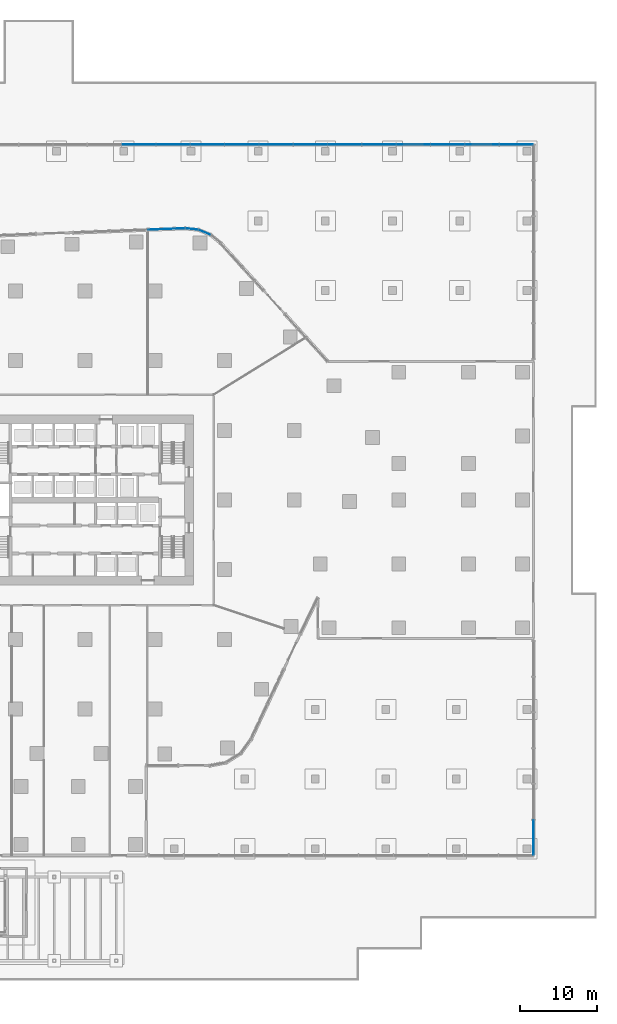
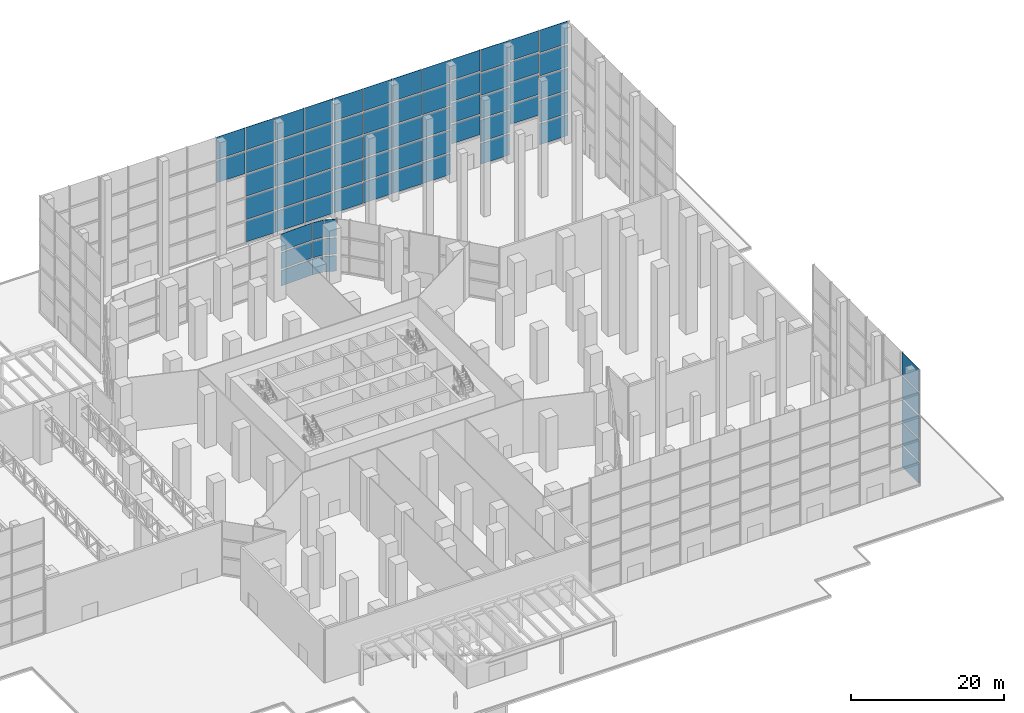
# One storey, part 26 of 40: 69 plates, 8 elements without a shape of their own.
"""IFC4 building model written with IfcOpenShell, lengths in metres."""

from ifc_helpers import new_model, si_unit, direction, frame, origin, origin_2d, place, context, subcontext, project, spatial, rectangle, extrude, material, layer, layer_set, type_object, element, aggregate, save


model = new_model("IFC4")

# Units and contexts
model_context = context("Model", 3, precision=1e-05, world=origin(), true_north=direction((0.0, 1.0)))
body_context = subcontext(model_context, "Body", "Model", "MODEL_VIEW")
ifc_project = project(units=[si_unit("LENGTHUNIT", "METRE"), si_unit("AREAUNIT", "SQUARE_METRE"), si_unit("VOLUMEUNIT", "CUBIC_METRE"), si_unit("PLANEANGLEUNIT", "RADIAN"), si_unit("MASSUNIT", "GRAM", prefix="KILO")], contexts=[model_context])

# Site, building, storey
site_placement = place(None, origin())
site = spatial("IfcSite", under=ifc_project, at=site_placement, CompositionType="ELEMENT")
building_placement = place(site_placement, origin())
building = spatial("IfcBuilding", under=site, at=building_placement, Name="Dongbaek Canopy Tower", CompositionType="ELEMENT")
storey_placement = place(building_placement, origin())
storey = spatial("IfcBuildingStorey", under=building, at=storey_placement, Name="L00", CompositionType="ELEMENT", Elevation=0.0)

# Curtain wall, plates
ifc_material_1 = material(Name="Aluminium 6063-T6 pale anodised", Category="aluminium")
ifc_layer_1 = layer(ifc_material_1, 0.39990234375)
ifc_layer_set_1 = layer_set([ifc_layer_1], Name="CW-3 lobby double-height curtain wall")
curtain_wall_type = type_object("IfcCurtainWallType", Name="CW-3 lobby double-height curtain wall", PredefinedType="NOTDEFINED", material=ifc_layer_set_1)
curtain_wall_1_placement = place(storey_placement, origin())
curtain_wall_1 = element("IfcCurtainWall", 1, at=curtain_wall_1_placement, inside=storey, type_object=curtain_wall_type, Name="CW-3 curtain wall K1.1", PredefinedType="NOTDEFINED")
ifc_material_2 = material(Name="Clear laminated glass", Category="glass")
ifc_layer_2 = layer(ifc_material_2, 0.0439453125)
ifc_layer_set_2 = layer_set([ifc_layer_2], Name="CW-3 glazed panel 44")
plate_type = type_object("IfcPlateType", Name="CW-3 glazed panel 44", PredefinedType="CURTAIN_PANEL", material=ifc_layer_set_2)
plate_1_placement = place(storey_placement, frame((15.412109375, 34.576416015625, 0.25), z_axis=(0.0, 0.0, 1.0), x_axis=(-0.921712269238, 0.387874325956, 0.0)))
plate_1 = element("IfcPlate", 2, at=plate_1_placement, type_object=plate_type, Name="CW-3 panel K1.1.2.1", PredefinedType="CURTAIN_PANEL", context=body_context, shape_type="SweptSolid", body=[
    extrude(rectangle(XDim=1.5869140625, YDim=0.0439453125, at=origin_2d()), origin(), (0.0, 0.0, 1.0), 2.47509765625),
])
plate_2_placement = place(storey_placement, frame((15.412109375, 34.576416015625, 2.974853515625), z_axis=(0.0, 0.0, 1.0), x_axis=(-0.921712269238, 0.387874325956, 0.0)))
plate_2 = element("IfcPlate", 3, at=plate_2_placement, type_object=plate_type, Name="CW-3 panel K1.1.2.2", PredefinedType="CURTAIN_PANEL", context=body_context, shape_type="SweptSolid", body=[
    extrude(rectangle(XDim=1.5869140625, YDim=0.0439453125, at=origin_2d()), origin(), (0.0, 0.0, 1.0), 2.60009765625),
])
plate_3_placement = place(storey_placement, frame((15.412109375, 34.576416015625, 5.824951171875), z_axis=(0.0, 0.0, 1.0), x_axis=(-0.921712269238, 0.387874325956, 0.0)))
plate_3 = element("IfcPlate", 4, at=plate_3_placement, type_object=plate_type, Name="CW-3 panel K1.1.2.3", PredefinedType="CURTAIN_PANEL", context=body_context, shape_type="SweptSolid", body=[
    extrude(rectangle(XDim=1.5869140625, YDim=0.0439453125, at=origin_2d()), origin(), (0.0, 0.0, 1.0), 2.72509765625),
])
plate_4_placement = place(storey_placement, frame((13.76953125, 35.000244140625, 0.25), z_axis=(0.0, 0.0, 1.0), x_axis=(-0.994250991543, 0.107074580622, 0.0)))
plate_4 = element("IfcPlate", 5, at=plate_4_placement, type_object=plate_type, Name="CW-3 panel K1.1.3.1", PredefinedType="CURTAIN_PANEL", context=body_context, shape_type="SweptSolid", body=[
    extrude(rectangle(XDim=1.59423828125, YDim=0.0439453125, at=origin_2d()), origin(), (0.0, 0.0, 1.0), 2.47509765625),
])
plate_5_placement = place(storey_placement, frame((13.76953125, 35.000244140625, 2.974853515625), z_axis=(0.0, 0.0, 1.0), x_axis=(-0.994250991543, 0.107074580622, 0.0)))
plate_5 = element("IfcPlate", 6, at=plate_5_placement, type_object=plate_type, Name="CW-3 panel K1.1.3.2", PredefinedType="CURTAIN_PANEL", context=body_context, shape_type="SweptSolid", body=[
    extrude(rectangle(XDim=1.59423828125, YDim=0.0439453125, at=origin_2d()), origin(), (0.0, 0.0, 1.0), 2.60009765625),
])
plate_6_placement = place(storey_placement, frame((13.76953125, 35.000244140625, 5.824951171875), z_axis=(0.0, 0.0, 1.0), x_axis=(-0.994250991543, 0.107074580622, 0.0)))
plate_6 = element("IfcPlate", 7, at=plate_6_placement, type_object=plate_type, Name="CW-3 panel K1.1.3.3", PredefinedType="CURTAIN_PANEL", context=body_context, shape_type="SweptSolid", body=[
    extrude(rectangle(XDim=1.59423828125, YDim=0.0439453125, at=origin_2d()), origin(), (0.0, 0.0, 1.0), 2.72509765625),
])
aggregate(curtain_wall_1, [plate_1, plate_2, plate_3, plate_4, plate_5, plate_6])

curtain_wall_2_placement = place(storey_placement, origin())
curtain_wall_2 = element("IfcCurtainWall", 8, at=curtain_wall_2_placement, inside=storey, type_object=curtain_wall_type, Name="CW-3 curtain wall F6.1", PredefinedType="NOTDEFINED")
plate_7_placement = place(storey_placement, frame((10.507080078125, 35.0, 0.25), z_axis=(0.0, 0.0, 1.0), x_axis=(-0.999268890746, -0.038231975991, 0.0)))
plate_7 = element("IfcPlate", 9, at=plate_7_placement, type_object=plate_type, Name="CW-3 panel F6.1.1.1", PredefinedType="CURTAIN_PANEL", context=body_context, shape_type="SweptSolid", body=[
    extrude(rectangle(XDim=4.696044921875, YDim=0.0439453125, at=origin_2d()), origin(), (0.0, 0.0, 1.0), 2.47509765625),
])
plate_8_placement = place(storey_placement, frame((10.507080078125, 35.0, 2.974853515625), z_axis=(0.0, 0.0, 1.0), x_axis=(-0.999268890746, -0.038231975991, 0.0)))
plate_8 = element("IfcPlate", 10, at=plate_8_placement, type_object=plate_type, Name="CW-3 panel F6.1.1.2", PredefinedType="CURTAIN_PANEL", context=body_context, shape_type="SweptSolid", body=[
    extrude(rectangle(XDim=4.696044921875, YDim=0.0439453125, at=origin_2d()), origin(), (0.0, 0.0, 1.0), 2.60009765625),
])
plate_9_placement = place(storey_placement, frame((10.507080078125, 35.0, 5.824951171875), z_axis=(0.0, 0.0, 1.0), x_axis=(-0.999268890746, -0.038231975991, 0.0)))
plate_9 = element("IfcPlate", 11, at=plate_9_placement, type_object=plate_type, Name="CW-3 panel F6.1.1.3", PredefinedType="CURTAIN_PANEL", context=body_context, shape_type="SweptSolid", body=[
    extrude(rectangle(XDim=4.696044921875, YDim=0.0439453125, at=origin_2d()), origin(), (0.0, 0.0, 1.0), 2.72509765625),
])
aggregate(curtain_wall_2, [plate_7, plate_8, plate_9])

curtain_wall_3_placement = place(storey_placement, origin())
curtain_wall_3 = element("IfcCurtainWall", 12, at=curtain_wall_3_placement, inside=storey, type_object=curtain_wall_type, Name="CW-3 curtain wall HNN.1", PredefinedType="NOTDEFINED")
plate_10_placement = place(storey_placement, frame((55.683349609375, 45.89990234375, 0.25), z_axis=(0.0, 0.0, 1.0), x_axis=(-1.0, 0.0, 0.0)))
plate_10 = element("IfcPlate", 13, at=plate_10_placement, type_object=plate_type, Name="CW-3 panel HNN.1.1.1", PredefinedType="CURTAIN_PANEL", context=body_context, shape_type="SweptSolid", body=[
    extrude(rectangle(XDim=4.309326171875, YDim=0.0439453125, at=origin_2d()), origin(), (0.0, 0.0, 1.0), 3.3349609375),
])
plate_11_placement = place(storey_placement, frame((55.683349609375, 45.89990234375, 3.8349609375), z_axis=(0.0, 0.0, 1.0), x_axis=(-1.0, 0.0, 0.0)))
plate_11 = element("IfcPlate", 14, at=plate_11_placement, type_object=plate_type, Name="CW-3 panel HNN.1.1.2", PredefinedType="CURTAIN_PANEL", context=body_context, shape_type="SweptSolid", body=[
    extrude(rectangle(XDim=4.309326171875, YDim=0.0439453125, at=origin_2d()), origin(), (0.0, 0.0, 1.0), 3.4599609375),
])
plate_12_placement = place(storey_placement, frame((55.683349609375, 45.89990234375, 7.544921875), z_axis=(0.0, 0.0, 1.0), x_axis=(-1.0, 0.0, 0.0)))
plate_12 = element("IfcPlate", 15, at=plate_12_placement, type_object=plate_type, Name="CW-3 panel HNN.1.1.3", PredefinedType="CURTAIN_PANEL", context=body_context, shape_type="SweptSolid", body=[
    extrude(rectangle(XDim=4.309326171875, YDim=0.0439453125, at=origin_2d()), origin(), (0.0, 0.0, 1.0), 3.4599609375),
])
plate_13_placement = place(storey_placement, frame((55.683349609375, 45.89990234375, 11.255126953125), z_axis=(0.0, 0.0, 1.0), x_axis=(-1.0, 0.0, 0.0)))
plate_13 = element("IfcPlate", 16, at=plate_13_placement, type_object=plate_type, Name="CW-3 panel HNN.1.1.4", PredefinedType="CURTAIN_PANEL", context=body_context, shape_type="SweptSolid", body=[
    extrude(rectangle(XDim=4.309326171875, YDim=0.0439453125, at=origin_2d()), origin(), (0.0, 0.0, 1.0), 3.4599609375),
])
plate_14_placement = place(storey_placement, frame((55.683349609375, 45.89990234375, 14.965087890625), z_axis=(0.0, 0.0, 1.0), x_axis=(-1.0, 0.0, 0.0)))
plate_14 = element("IfcPlate", 17, at=plate_14_placement, type_object=plate_type, Name="CW-3 panel HNN.1.1.5", PredefinedType="CURTAIN_PANEL", context=body_context, shape_type="SweptSolid", body=[
    extrude(rectangle(XDim=4.309326171875, YDim=0.0439453125, at=origin_2d()), origin(), (0.0, 0.0, 1.0), 3.5849609375),
])
aggregate(curtain_wall_3, [plate_10, plate_11, plate_12, plate_13, plate_14])

curtain_wall_4_placement = place(storey_placement, origin())
curtain_wall_4 = element("IfcCurtainWall", 18, at=curtain_wall_4_placement, inside=storey, type_object=curtain_wall_type, Name="CW-3 curtain wall HNN.2U", PredefinedType="NOTDEFINED")
plate_15_placement = place(storey_placement, frame((51.25, 45.89990234375, 5.050048828125), z_axis=(0.0, 0.0, 1.0), x_axis=(-1.0, 0.0, 0.0)))
plate_15 = element("IfcPlate", 19, at=plate_15_placement, type_object=plate_type, Name="CW-3 panel HNN.2U.1.1", PredefinedType="CURTAIN_PANEL", context=body_context, shape_type="SweptSolid", body=[
    extrude(rectangle(XDim=4.309326171875, YDim=0.0439453125, at=origin_2d()), origin(), (0.0, 0.0, 1.0), 3.0625),
])
plate_16_placement = place(storey_placement, frame((51.25, 45.89990234375, 8.362548828125), z_axis=(0.0, 0.0, 1.0), x_axis=(-1.0, 0.0, 0.0)))
plate_16 = element("IfcPlate", 20, at=plate_16_placement, type_object=plate_type, Name="CW-3 panel HNN.2U.1.2", PredefinedType="CURTAIN_PANEL", context=body_context, shape_type="SweptSolid", body=[
    extrude(rectangle(XDim=4.309326171875, YDim=0.0439453125, at=origin_2d()), origin(), (0.0, 0.0, 1.0), 3.1875),
])
plate_17_placement = place(storey_placement, frame((51.25, 45.89990234375, 11.800048828125), z_axis=(0.0, 0.0, 1.0), x_axis=(-1.0, 0.0, 0.0)))
plate_17 = element("IfcPlate", 21, at=plate_17_placement, type_object=plate_type, Name="CW-3 panel HNN.2U.1.3", PredefinedType="CURTAIN_PANEL", context=body_context, shape_type="SweptSolid", body=[
    extrude(rectangle(XDim=4.309326171875, YDim=0.0439453125, at=origin_2d()), origin(), (0.0, 0.0, 1.0), 3.1875),
])
plate_18_placement = place(storey_placement, frame((51.25, 45.89990234375, 15.237548828125), z_axis=(0.0, 0.0, 1.0), x_axis=(-1.0, 0.0, 0.0)))
plate_18 = element("IfcPlate", 22, at=plate_18_placement, type_object=plate_type, Name="CW-3 panel HNN.2U.1.4", PredefinedType="CURTAIN_PANEL", context=body_context, shape_type="SweptSolid", body=[
    extrude(rectangle(XDim=4.309326171875, YDim=0.0439453125, at=origin_2d()), origin(), (0.0, 0.0, 1.0), 3.3125),
])
aggregate(curtain_wall_4, [plate_15, plate_16, plate_17, plate_18])

curtain_wall_5_placement = place(storey_placement, origin())
curtain_wall_5 = element("IfcCurtainWall", 23, at=curtain_wall_5_placement, inside=storey, type_object=curtain_wall_type, Name="CW-3 curtain wall HNN.2", PredefinedType="NOTDEFINED")
plate_19_placement = place(storey_placement, frame((46.816650390625, 45.89990234375, 0.25), z_axis=(0.0, 0.0, 1.0), x_axis=(-1.0, 0.0, 0.0)))
plate_19 = element("IfcPlate", 24, at=plate_19_placement, type_object=plate_type, Name="CW-3 panel HNN.2.1.1", PredefinedType="CURTAIN_PANEL", context=body_context, shape_type="SweptSolid", body=[
    extrude(rectangle(XDim=4.309326171875, YDim=0.0439453125, at=origin_2d()), origin(), (0.0, 0.0, 1.0), 3.3349609375),
])
plate_20_placement = place(storey_placement, frame((46.816650390625, 45.89990234375, 3.8349609375), z_axis=(0.0, 0.0, 1.0), x_axis=(-1.0, 0.0, 0.0)))
plate_20 = element("IfcPlate", 25, at=plate_20_placement, type_object=plate_type, Name="CW-3 panel HNN.2.1.2", PredefinedType="CURTAIN_PANEL", context=body_context, shape_type="SweptSolid", body=[
    extrude(rectangle(XDim=4.309326171875, YDim=0.0439453125, at=origin_2d()), origin(), (0.0, 0.0, 1.0), 3.4599609375),
])
plate_21_placement = place(storey_placement, frame((46.816650390625, 45.89990234375, 7.544921875), z_axis=(0.0, 0.0, 1.0), x_axis=(-1.0, 0.0, 0.0)))
plate_21 = element("IfcPlate", 26, at=plate_21_placement, type_object=plate_type, Name="CW-3 panel HNN.2.1.3", PredefinedType="CURTAIN_PANEL", context=body_context, shape_type="SweptSolid", body=[
    extrude(rectangle(XDim=4.309326171875, YDim=0.0439453125, at=origin_2d()), origin(), (0.0, 0.0, 1.0), 3.4599609375),
])
plate_22_placement = place(storey_placement, frame((46.816650390625, 45.89990234375, 11.255126953125), z_axis=(0.0, 0.0, 1.0), x_axis=(-1.0, 0.0, 0.0)))
plate_22 = element("IfcPlate", 27, at=plate_22_placement, type_object=plate_type, Name="CW-3 panel HNN.2.1.4", PredefinedType="CURTAIN_PANEL", context=body_context, shape_type="SweptSolid", body=[
    extrude(rectangle(XDim=4.309326171875, YDim=0.0439453125, at=origin_2d()), origin(), (0.0, 0.0, 1.0), 3.4599609375),
])
plate_23_placement = place(storey_placement, frame((46.816650390625, 45.89990234375, 14.965087890625), z_axis=(0.0, 0.0, 1.0), x_axis=(-1.0, 0.0, 0.0)))
plate_23 = element("IfcPlate", 28, at=plate_23_placement, type_object=plate_type, Name="CW-3 panel HNN.2.1.5", PredefinedType="CURTAIN_PANEL", context=body_context, shape_type="SweptSolid", body=[
    extrude(rectangle(XDim=4.309326171875, YDim=0.0439453125, at=origin_2d()), origin(), (0.0, 0.0, 1.0), 3.5849609375),
])
aggregate(curtain_wall_5, [plate_19, plate_20, plate_21, plate_22, plate_23])

curtain_wall_6_placement = place(storey_placement, origin())
curtain_wall_6 = element("IfcCurtainWall", 29, at=curtain_wall_6_placement, inside=storey, type_object=curtain_wall_type, Name="CW-3 curtain wall HNN.4U", PredefinedType="NOTDEFINED")
plate_24_placement = place(storey_placement, frame((42.38330078125, 45.89990234375, 5.050048828125), z_axis=(0.0, 0.0, 1.0), x_axis=(-1.0, 0.0, 0.0)))
plate_24 = element("IfcPlate", 30, at=plate_24_placement, type_object=plate_type, Name="CW-3 panel HNN.4U.1.1", PredefinedType="CURTAIN_PANEL", context=body_context, shape_type="SweptSolid", body=[
    extrude(rectangle(XDim=4.309326171875, YDim=0.0439453125, at=origin_2d()), origin(), (0.0, 0.0, 1.0), 3.0625),
])
plate_25_placement = place(storey_placement, frame((42.38330078125, 45.89990234375, 8.362548828125), z_axis=(0.0, 0.0, 1.0), x_axis=(-1.0, 0.0, 0.0)))
plate_25 = element("IfcPlate", 31, at=plate_25_placement, type_object=plate_type, Name="CW-3 panel HNN.4U.1.2", PredefinedType="CURTAIN_PANEL", context=body_context, shape_type="SweptSolid", body=[
    extrude(rectangle(XDim=4.309326171875, YDim=0.0439453125, at=origin_2d()), origin(), (0.0, 0.0, 1.0), 3.1875),
])
plate_26_placement = place(storey_placement, frame((42.38330078125, 45.89990234375, 11.800048828125), z_axis=(0.0, 0.0, 1.0), x_axis=(-1.0, 0.0, 0.0)))
plate_26 = element("IfcPlate", 32, at=plate_26_placement, type_object=plate_type, Name="CW-3 panel HNN.4U.1.3", PredefinedType="CURTAIN_PANEL", context=body_context, shape_type="SweptSolid", body=[
    extrude(rectangle(XDim=4.309326171875, YDim=0.0439453125, at=origin_2d()), origin(), (0.0, 0.0, 1.0), 3.1875),
])
plate_27_placement = place(storey_placement, frame((42.38330078125, 45.89990234375, 15.237548828125), z_axis=(0.0, 0.0, 1.0), x_axis=(-1.0, 0.0, 0.0)))
plate_27 = element("IfcPlate", 33, at=plate_27_placement, type_object=plate_type, Name="CW-3 panel HNN.4U.1.4", PredefinedType="CURTAIN_PANEL", context=body_context, shape_type="SweptSolid", body=[
    extrude(rectangle(XDim=4.309326171875, YDim=0.0439453125, at=origin_2d()), origin(), (0.0, 0.0, 1.0), 3.3125),
])
aggregate(curtain_wall_6, [plate_24, plate_25, plate_26, plate_27])

curtain_wall_7_placement = place(storey_placement, origin())
curtain_wall_7 = element("IfcCurtainWall", 34, at=curtain_wall_7_placement, inside=storey, type_object=curtain_wall_type, Name="CW-3 curtain wall HNN.3", PredefinedType="NOTDEFINED")
plate_28_placement = place(storey_placement, frame((37.949951171875, 45.89990234375, 0.25), z_axis=(0.0, 0.0, 1.0), x_axis=(-1.0, 0.0, 0.0)))
plate_28 = element("IfcPlate", 35, at=plate_28_placement, type_object=plate_type, Name="CW-3 panel HNN.3.1.1", PredefinedType="CURTAIN_PANEL", context=body_context, shape_type="SweptSolid", body=[
    extrude(rectangle(XDim=4.309326171875, YDim=0.0439453125, at=origin_2d()), origin(), (0.0, 0.0, 1.0), 3.3349609375),
])
plate_29_placement = place(storey_placement, frame((37.949951171875, 45.89990234375, 3.8349609375), z_axis=(0.0, 0.0, 1.0), x_axis=(-1.0, 0.0, 0.0)))
plate_29 = element("IfcPlate", 36, at=plate_29_placement, type_object=plate_type, Name="CW-3 panel HNN.3.1.2", PredefinedType="CURTAIN_PANEL", context=body_context, shape_type="SweptSolid", body=[
    extrude(rectangle(XDim=4.309326171875, YDim=0.0439453125, at=origin_2d()), origin(), (0.0, 0.0, 1.0), 3.4599609375),
])
plate_30_placement = place(storey_placement, frame((37.949951171875, 45.89990234375, 7.544921875), z_axis=(0.0, 0.0, 1.0), x_axis=(-1.0, 0.0, 0.0)))
plate_30 = element("IfcPlate", 37, at=plate_30_placement, type_object=plate_type, Name="CW-3 panel HNN.3.1.3", PredefinedType="CURTAIN_PANEL", context=body_context, shape_type="SweptSolid", body=[
    extrude(rectangle(XDim=4.309326171875, YDim=0.0439453125, at=origin_2d()), origin(), (0.0, 0.0, 1.0), 3.4599609375),
])
plate_31_placement = place(storey_placement, frame((37.949951171875, 45.89990234375, 11.255126953125), z_axis=(0.0, 0.0, 1.0), x_axis=(-1.0, 0.0, 0.0)))
plate_31 = element("IfcPlate", 38, at=plate_31_placement, type_object=plate_type, Name="CW-3 panel HNN.3.1.4", PredefinedType="CURTAIN_PANEL", context=body_context, shape_type="SweptSolid", body=[
    extrude(rectangle(XDim=4.309326171875, YDim=0.0439453125, at=origin_2d()), origin(), (0.0, 0.0, 1.0), 3.4599609375),
])
plate_32_placement = place(storey_placement, frame((37.949951171875, 45.89990234375, 14.965087890625), z_axis=(0.0, 0.0, 1.0), x_axis=(-1.0, 0.0, 0.0)))
plate_32 = element("IfcPlate", 39, at=plate_32_placement, type_object=plate_type, Name="CW-3 panel HNN.3.1.5", PredefinedType="CURTAIN_PANEL", context=body_context, shape_type="SweptSolid", body=[
    extrude(rectangle(XDim=4.309326171875, YDim=0.0439453125, at=origin_2d()), origin(), (0.0, 0.0, 1.0), 3.5849609375),
])
plate_33_placement = place(storey_placement, frame((33.5166015625, 45.89990234375, 0.25), z_axis=(0.0, 0.0, 1.0), x_axis=(-1.0, 0.0, 0.0)))
plate_33 = element("IfcPlate", 40, at=plate_33_placement, type_object=plate_type, Name="CW-3 panel HNN.3.2.1", PredefinedType="CURTAIN_PANEL", context=body_context, shape_type="SweptSolid", body=[
    extrude(rectangle(XDim=4.309326171875, YDim=0.0439453125, at=origin_2d()), origin(), (0.0, 0.0, 1.0), 3.3349609375),
])
plate_34_placement = place(storey_placement, frame((33.5166015625, 45.89990234375, 3.8349609375), z_axis=(0.0, 0.0, 1.0), x_axis=(-1.0, 0.0, 0.0)))
plate_34 = element("IfcPlate", 41, at=plate_34_placement, type_object=plate_type, Name="CW-3 panel HNN.3.2.2", PredefinedType="CURTAIN_PANEL", context=body_context, shape_type="SweptSolid", body=[
    extrude(rectangle(XDim=4.309326171875, YDim=0.0439453125, at=origin_2d()), origin(), (0.0, 0.0, 1.0), 3.4599609375),
])
plate_35_placement = place(storey_placement, frame((33.5166015625, 45.89990234375, 7.544921875), z_axis=(0.0, 0.0, 1.0), x_axis=(-1.0, 0.0, 0.0)))
plate_35 = element("IfcPlate", 42, at=plate_35_placement, type_object=plate_type, Name="CW-3 panel HNN.3.2.3", PredefinedType="CURTAIN_PANEL", context=body_context, shape_type="SweptSolid", body=[
    extrude(rectangle(XDim=4.309326171875, YDim=0.0439453125, at=origin_2d()), origin(), (0.0, 0.0, 1.0), 3.4599609375),
])
plate_36_placement = place(storey_placement, frame((33.5166015625, 45.89990234375, 11.255126953125), z_axis=(0.0, 0.0, 1.0), x_axis=(-1.0, 0.0, 0.0)))
plate_36 = element("IfcPlate", 43, at=plate_36_placement, type_object=plate_type, Name="CW-3 panel HNN.3.2.4", PredefinedType="CURTAIN_PANEL", context=body_context, shape_type="SweptSolid", body=[
    extrude(rectangle(XDim=4.309326171875, YDim=0.0439453125, at=origin_2d()), origin(), (0.0, 0.0, 1.0), 3.4599609375),
])
plate_37_placement = place(storey_placement, frame((33.5166015625, 45.89990234375, 14.965087890625), z_axis=(0.0, 0.0, 1.0), x_axis=(-1.0, 0.0, 0.0)))
plate_37 = element("IfcPlate", 44, at=plate_37_placement, type_object=plate_type, Name="CW-3 panel HNN.3.2.5", PredefinedType="CURTAIN_PANEL", context=body_context, shape_type="SweptSolid", body=[
    extrude(rectangle(XDim=4.309326171875, YDim=0.0439453125, at=origin_2d()), origin(), (0.0, 0.0, 1.0), 3.5849609375),
])
plate_38_placement = place(storey_placement, frame((29.083251953125, 45.89990234375, 0.25), z_axis=(0.0, 0.0, 1.0), x_axis=(-1.0, 0.0, 0.0)))
plate_38 = element("IfcPlate", 45, at=plate_38_placement, type_object=plate_type, Name="CW-3 panel HNN.3.3.1", PredefinedType="CURTAIN_PANEL", context=body_context, shape_type="SweptSolid", body=[
    extrude(rectangle(XDim=4.309326171875, YDim=0.0439453125, at=origin_2d()), origin(), (0.0, 0.0, 1.0), 3.3349609375),
])
plate_39_placement = place(storey_placement, frame((29.083251953125, 45.89990234375, 3.8349609375), z_axis=(0.0, 0.0, 1.0), x_axis=(-1.0, 0.0, 0.0)))
plate_39 = element("IfcPlate", 46, at=plate_39_placement, type_object=plate_type, Name="CW-3 panel HNN.3.3.2", PredefinedType="CURTAIN_PANEL", context=body_context, shape_type="SweptSolid", body=[
    extrude(rectangle(XDim=4.309326171875, YDim=0.0439453125, at=origin_2d()), origin(), (0.0, 0.0, 1.0), 3.4599609375),
])
plate_40_placement = place(storey_placement, frame((29.083251953125, 45.89990234375, 7.544921875), z_axis=(0.0, 0.0, 1.0), x_axis=(-1.0, 0.0, 0.0)))
plate_40 = element("IfcPlate", 47, at=plate_40_placement, type_object=plate_type, Name="CW-3 panel HNN.3.3.3", PredefinedType="CURTAIN_PANEL", context=body_context, shape_type="SweptSolid", body=[
    extrude(rectangle(XDim=4.309326171875, YDim=0.0439453125, at=origin_2d()), origin(), (0.0, 0.0, 1.0), 3.4599609375),
])
plate_41_placement = place(storey_placement, frame((29.083251953125, 45.89990234375, 11.255126953125), z_axis=(0.0, 0.0, 1.0), x_axis=(-1.0, 0.0, 0.0)))
plate_41 = element("IfcPlate", 48, at=plate_41_placement, type_object=plate_type, Name="CW-3 panel HNN.3.3.4", PredefinedType="CURTAIN_PANEL", context=body_context, shape_type="SweptSolid", body=[
    extrude(rectangle(XDim=4.309326171875, YDim=0.0439453125, at=origin_2d()), origin(), (0.0, 0.0, 1.0), 3.4599609375),
])
plate_42_placement = place(storey_placement, frame((29.083251953125, 45.89990234375, 14.965087890625), z_axis=(0.0, 0.0, 1.0), x_axis=(-1.0, 0.0, 0.0)))
plate_42 = element("IfcPlate", 49, at=plate_42_placement, type_object=plate_type, Name="CW-3 panel HNN.3.3.5", PredefinedType="CURTAIN_PANEL", context=body_context, shape_type="SweptSolid", body=[
    extrude(rectangle(XDim=4.309326171875, YDim=0.0439453125, at=origin_2d()), origin(), (0.0, 0.0, 1.0), 3.5849609375),
])
plate_43_placement = place(storey_placement, frame((24.64990234375, 45.89990234375, 0.25), z_axis=(0.0, 0.0, 1.0), x_axis=(-1.0, 0.0, 0.0)))
plate_43 = element("IfcPlate", 50, at=plate_43_placement, type_object=plate_type, Name="CW-3 panel HNN.3.4.1", PredefinedType="CURTAIN_PANEL", context=body_context, shape_type="SweptSolid", body=[
    extrude(rectangle(XDim=4.309326171875, YDim=0.0439453125, at=origin_2d()), origin(), (0.0, 0.0, 1.0), 3.3349609375),
])
plate_44_placement = place(storey_placement, frame((24.64990234375, 45.89990234375, 3.8349609375), z_axis=(0.0, 0.0, 1.0), x_axis=(-1.0, 0.0, 0.0)))
plate_44 = element("IfcPlate", 51, at=plate_44_placement, type_object=plate_type, Name="CW-3 panel HNN.3.4.2", PredefinedType="CURTAIN_PANEL", context=body_context, shape_type="SweptSolid", body=[
    extrude(rectangle(XDim=4.309326171875, YDim=0.0439453125, at=origin_2d()), origin(), (0.0, 0.0, 1.0), 3.4599609375),
])
plate_45_placement = place(storey_placement, frame((24.64990234375, 45.89990234375, 7.544921875), z_axis=(0.0, 0.0, 1.0), x_axis=(-1.0, 0.0, 0.0)))
plate_45 = element("IfcPlate", 52, at=plate_45_placement, type_object=plate_type, Name="CW-3 panel HNN.3.4.3", PredefinedType="CURTAIN_PANEL", context=body_context, shape_type="SweptSolid", body=[
    extrude(rectangle(XDim=4.309326171875, YDim=0.0439453125, at=origin_2d()), origin(), (0.0, 0.0, 1.0), 3.4599609375),
])
plate_46_placement = place(storey_placement, frame((24.64990234375, 45.89990234375, 11.255126953125), z_axis=(0.0, 0.0, 1.0), x_axis=(-1.0, 0.0, 0.0)))
plate_46 = element("IfcPlate", 53, at=plate_46_placement, type_object=plate_type, Name="CW-3 panel HNN.3.4.4", PredefinedType="CURTAIN_PANEL", context=body_context, shape_type="SweptSolid", body=[
    extrude(rectangle(XDim=4.309326171875, YDim=0.0439453125, at=origin_2d()), origin(), (0.0, 0.0, 1.0), 3.4599609375),
])
plate_47_placement = place(storey_placement, frame((24.64990234375, 45.89990234375, 14.965087890625), z_axis=(0.0, 0.0, 1.0), x_axis=(-1.0, 0.0, 0.0)))
plate_47 = element("IfcPlate", 54, at=plate_47_placement, type_object=plate_type, Name="CW-3 panel HNN.3.4.5", PredefinedType="CURTAIN_PANEL", context=body_context, shape_type="SweptSolid", body=[
    extrude(rectangle(XDim=4.309326171875, YDim=0.0439453125, at=origin_2d()), origin(), (0.0, 0.0, 1.0), 3.5849609375),
])
plate_48_placement = place(storey_placement, frame((20.216552734375, 45.89990234375, 0.25), z_axis=(0.0, 0.0, 1.0), x_axis=(-1.0, 0.0, 0.0)))
plate_48 = element("IfcPlate", 55, at=plate_48_placement, type_object=plate_type, Name="CW-3 panel HNN.3.5.1", PredefinedType="CURTAIN_PANEL", context=body_context, shape_type="SweptSolid", body=[
    extrude(rectangle(XDim=4.309326171875, YDim=0.0439453125, at=origin_2d()), origin(), (0.0, 0.0, 1.0), 3.3349609375),
])
plate_49_placement = place(storey_placement, frame((20.216552734375, 45.89990234375, 3.8349609375), z_axis=(0.0, 0.0, 1.0), x_axis=(-1.0, 0.0, 0.0)))
plate_49 = element("IfcPlate", 56, at=plate_49_placement, type_object=plate_type, Name="CW-3 panel HNN.3.5.2", PredefinedType="CURTAIN_PANEL", context=body_context, shape_type="SweptSolid", body=[
    extrude(rectangle(XDim=4.309326171875, YDim=0.0439453125, at=origin_2d()), origin(), (0.0, 0.0, 1.0), 3.4599609375),
])
plate_50_placement = place(storey_placement, frame((20.216552734375, 45.89990234375, 7.544921875), z_axis=(0.0, 0.0, 1.0), x_axis=(-1.0, 0.0, 0.0)))
plate_50 = element("IfcPlate", 57, at=plate_50_placement, type_object=plate_type, Name="CW-3 panel HNN.3.5.3", PredefinedType="CURTAIN_PANEL", context=body_context, shape_type="SweptSolid", body=[
    extrude(rectangle(XDim=4.309326171875, YDim=0.0439453125, at=origin_2d()), origin(), (0.0, 0.0, 1.0), 3.4599609375),
])
plate_51_placement = place(storey_placement, frame((20.216552734375, 45.89990234375, 11.255126953125), z_axis=(0.0, 0.0, 1.0), x_axis=(-1.0, 0.0, 0.0)))
plate_51 = element("IfcPlate", 58, at=plate_51_placement, type_object=plate_type, Name="CW-3 panel HNN.3.5.4", PredefinedType="CURTAIN_PANEL", context=body_context, shape_type="SweptSolid", body=[
    extrude(rectangle(XDim=4.309326171875, YDim=0.0439453125, at=origin_2d()), origin(), (0.0, 0.0, 1.0), 3.4599609375),
])
plate_52_placement = place(storey_placement, frame((20.216552734375, 45.89990234375, 14.965087890625), z_axis=(0.0, 0.0, 1.0), x_axis=(-1.0, 0.0, 0.0)))
plate_52 = element("IfcPlate", 59, at=plate_52_placement, type_object=plate_type, Name="CW-3 panel HNN.3.5.5", PredefinedType="CURTAIN_PANEL", context=body_context, shape_type="SweptSolid", body=[
    extrude(rectangle(XDim=4.309326171875, YDim=0.0439453125, at=origin_2d()), origin(), (0.0, 0.0, 1.0), 3.5849609375),
])
plate_53_placement = place(storey_placement, frame((15.783447265625, 45.89990234375, 0.25), z_axis=(0.0, 0.0, 1.0), x_axis=(-1.0, 0.0, 0.0)))
plate_53 = element("IfcPlate", 60, at=plate_53_placement, type_object=plate_type, Name="CW-3 panel HNN.3.6.1", PredefinedType="CURTAIN_PANEL", context=body_context, shape_type="SweptSolid", body=[
    extrude(rectangle(XDim=4.309326171875, YDim=0.0439453125, at=origin_2d()), origin(), (0.0, 0.0, 1.0), 3.3349609375),
])
plate_54_placement = place(storey_placement, frame((15.783447265625, 45.89990234375, 3.8349609375), z_axis=(0.0, 0.0, 1.0), x_axis=(-1.0, 0.0, 0.0)))
plate_54 = element("IfcPlate", 61, at=plate_54_placement, type_object=plate_type, Name="CW-3 panel HNN.3.6.2", PredefinedType="CURTAIN_PANEL", context=body_context, shape_type="SweptSolid", body=[
    extrude(rectangle(XDim=4.309326171875, YDim=0.0439453125, at=origin_2d()), origin(), (0.0, 0.0, 1.0), 3.4599609375),
])
plate_55_placement = place(storey_placement, frame((15.783447265625, 45.89990234375, 7.544921875), z_axis=(0.0, 0.0, 1.0), x_axis=(-1.0, 0.0, 0.0)))
plate_55 = element("IfcPlate", 62, at=plate_55_placement, type_object=plate_type, Name="CW-3 panel HNN.3.6.3", PredefinedType="CURTAIN_PANEL", context=body_context, shape_type="SweptSolid", body=[
    extrude(rectangle(XDim=4.309326171875, YDim=0.0439453125, at=origin_2d()), origin(), (0.0, 0.0, 1.0), 3.4599609375),
])
plate_56_placement = place(storey_placement, frame((15.783447265625, 45.89990234375, 11.255126953125), z_axis=(0.0, 0.0, 1.0), x_axis=(-1.0, 0.0, 0.0)))
plate_56 = element("IfcPlate", 63, at=plate_56_placement, type_object=plate_type, Name="CW-3 panel HNN.3.6.4", PredefinedType="CURTAIN_PANEL", context=body_context, shape_type="SweptSolid", body=[
    extrude(rectangle(XDim=4.309326171875, YDim=0.0439453125, at=origin_2d()), origin(), (0.0, 0.0, 1.0), 3.4599609375),
])
plate_57_placement = place(storey_placement, frame((15.783447265625, 45.89990234375, 14.965087890625), z_axis=(0.0, 0.0, 1.0), x_axis=(-1.0, 0.0, 0.0)))
plate_57 = element("IfcPlate", 64, at=plate_57_placement, type_object=plate_type, Name="CW-3 panel HNN.3.6.5", PredefinedType="CURTAIN_PANEL", context=body_context, shape_type="SweptSolid", body=[
    extrude(rectangle(XDim=4.309326171875, YDim=0.0439453125, at=origin_2d()), origin(), (0.0, 0.0, 1.0), 3.5849609375),
])
plate_58_placement = place(storey_placement, frame((11.35009765625, 45.89990234375, 0.25), z_axis=(0.0, 0.0, 1.0), x_axis=(-1.0, 0.0, 0.0)))
plate_58 = element("IfcPlate", 65, at=plate_58_placement, type_object=plate_type, Name="CW-3 panel HNN.3.7.1", PredefinedType="CURTAIN_PANEL", context=body_context, shape_type="SweptSolid", body=[
    extrude(rectangle(XDim=4.309326171875, YDim=0.0439453125, at=origin_2d()), origin(), (0.0, 0.0, 1.0), 3.3349609375),
])
plate_59_placement = place(storey_placement, frame((11.35009765625, 45.89990234375, 3.8349609375), z_axis=(0.0, 0.0, 1.0), x_axis=(-1.0, 0.0, 0.0)))
plate_59 = element("IfcPlate", 66, at=plate_59_placement, type_object=plate_type, Name="CW-3 panel HNN.3.7.2", PredefinedType="CURTAIN_PANEL", context=body_context, shape_type="SweptSolid", body=[
    extrude(rectangle(XDim=4.309326171875, YDim=0.0439453125, at=origin_2d()), origin(), (0.0, 0.0, 1.0), 3.4599609375),
])
plate_60_placement = place(storey_placement, frame((11.35009765625, 45.89990234375, 7.544921875), z_axis=(0.0, 0.0, 1.0), x_axis=(-1.0, 0.0, 0.0)))
plate_60 = element("IfcPlate", 67, at=plate_60_placement, type_object=plate_type, Name="CW-3 panel HNN.3.7.3", PredefinedType="CURTAIN_PANEL", context=body_context, shape_type="SweptSolid", body=[
    extrude(rectangle(XDim=4.309326171875, YDim=0.0439453125, at=origin_2d()), origin(), (0.0, 0.0, 1.0), 3.4599609375),
])
plate_61_placement = place(storey_placement, frame((11.35009765625, 45.89990234375, 11.255126953125), z_axis=(0.0, 0.0, 1.0), x_axis=(-1.0, 0.0, 0.0)))
plate_61 = element("IfcPlate", 68, at=plate_61_placement, type_object=plate_type, Name="CW-3 panel HNN.3.7.4", PredefinedType="CURTAIN_PANEL", context=body_context, shape_type="SweptSolid", body=[
    extrude(rectangle(XDim=4.309326171875, YDim=0.0439453125, at=origin_2d()), origin(), (0.0, 0.0, 1.0), 3.4599609375),
])
plate_62_placement = place(storey_placement, frame((11.35009765625, 45.89990234375, 14.965087890625), z_axis=(0.0, 0.0, 1.0), x_axis=(-1.0, 0.0, 0.0)))
plate_62 = element("IfcPlate", 69, at=plate_62_placement, type_object=plate_type, Name="CW-3 panel HNN.3.7.5", PredefinedType="CURTAIN_PANEL", context=body_context, shape_type="SweptSolid", body=[
    extrude(rectangle(XDim=4.309326171875, YDim=0.0439453125, at=origin_2d()), origin(), (0.0, 0.0, 1.0), 3.5849609375),
])
plate_63_placement = place(storey_placement, frame((6.916748046875, 45.89990234375, 11.255126953125), z_axis=(0.0, 0.0, 1.0), x_axis=(-1.0, 0.0, 0.0)))
plate_63 = element("IfcPlate", 70, at=plate_63_placement, type_object=plate_type, Name="CW-3 panel HNN.3.8.4", PredefinedType="CURTAIN_PANEL", context=body_context, shape_type="SweptSolid", body=[
    extrude(rectangle(XDim=4.309326171875, YDim=0.0439453125, at=origin_2d()), origin(), (0.0, 0.0, 1.0), 3.4599609375),
])
plate_64_placement = place(storey_placement, frame((6.916748046875, 45.89990234375, 14.965087890625), z_axis=(0.0, 0.0, 1.0), x_axis=(-1.0, 0.0, 0.0)))
plate_64 = element("IfcPlate", 71, at=plate_64_placement, type_object=plate_type, Name="CW-3 panel HNN.3.8.5", PredefinedType="CURTAIN_PANEL", context=body_context, shape_type="SweptSolid", body=[
    extrude(rectangle(XDim=4.309326171875, YDim=0.0439453125, at=origin_2d()), origin(), (0.0, 0.0, 1.0), 3.5849609375),
])
aggregate(curtain_wall_7, [plate_28, plate_29, plate_30, plate_31, plate_32, plate_33, plate_34, plate_35, plate_36, plate_37, plate_38, plate_39, plate_40, plate_41, plate_42, plate_43, plate_44, plate_45, plate_46, plate_47, plate_48, plate_49, plate_50, plate_51, plate_52, plate_53, plate_54, plate_55, plate_56, plate_57, plate_58, plate_59, plate_60, plate_61, plate_62, plate_63, plate_64])

curtain_wall_8_placement = place(storey_placement, origin())
curtain_wall_8 = element("IfcCurtainWall", 72, at=curtain_wall_8_placement, inside=storey, type_object=curtain_wall_type, Name="CW-3 curtain wall HSE.1", PredefinedType="NOTDEFINED")
plate_65_placement = place(storey_placement, frame((57.89990234375, -43.591552734375, 0.25), z_axis=(0.0, 0.0, 1.0), x_axis=(0.0, 1.0, 0.0)))
plate_65 = element("IfcPlate", 73, at=plate_65_placement, type_object=plate_type, Name="CW-3 panel HSE.1.1.1", PredefinedType="CURTAIN_PANEL", context=body_context, shape_type="SweptSolid", body=[
    extrude(rectangle(XDim=4.49267578125, YDim=0.0439453125, at=origin_2d()), origin(), (0.0, 0.0, 1.0), 3.3349609375),
])
plate_66_placement = place(storey_placement, frame((57.89990234375, -43.591552734375, 3.8349609375), z_axis=(0.0, 0.0, 1.0), x_axis=(0.0, 1.0, 0.0)))
plate_66 = element("IfcPlate", 74, at=plate_66_placement, type_object=plate_type, Name="CW-3 panel HSE.1.1.2", PredefinedType="CURTAIN_PANEL", context=body_context, shape_type="SweptSolid", body=[
    extrude(rectangle(XDim=4.49267578125, YDim=0.0439453125, at=origin_2d()), origin(), (0.0, 0.0, 1.0), 3.4599609375),
])
plate_67_placement = place(storey_placement, frame((57.89990234375, -43.591552734375, 7.544921875), z_axis=(0.0, 0.0, 1.0), x_axis=(0.0, 1.0, 0.0)))
plate_67 = element("IfcPlate", 75, at=plate_67_placement, type_object=plate_type, Name="CW-3 panel HSE.1.1.3", PredefinedType="CURTAIN_PANEL", context=body_context, shape_type="SweptSolid", body=[
    extrude(rectangle(XDim=4.49267578125, YDim=0.0439453125, at=origin_2d()), origin(), (0.0, 0.0, 1.0), 3.4599609375),
])
plate_68_placement = place(storey_placement, frame((57.89990234375, -43.591552734375, 11.255126953125), z_axis=(0.0, 0.0, 1.0), x_axis=(0.0, 1.0, 0.0)))
plate_68 = element("IfcPlate", 76, at=plate_68_placement, type_object=plate_type, Name="CW-3 panel HSE.1.1.4", PredefinedType="CURTAIN_PANEL", context=body_context, shape_type="SweptSolid", body=[
    extrude(rectangle(XDim=4.49267578125, YDim=0.0439453125, at=origin_2d()), origin(), (0.0, 0.0, 1.0), 3.4599609375),
])
plate_69_placement = place(storey_placement, frame((57.89990234375, -43.591552734375, 14.965087890625), z_axis=(0.0, 0.0, 1.0), x_axis=(0.0, 1.0, 0.0)))
plate_69 = element("IfcPlate", 77, at=plate_69_placement, type_object=plate_type, Name="CW-3 panel HSE.1.1.5", PredefinedType="CURTAIN_PANEL", context=body_context, shape_type="SweptSolid", body=[
    extrude(rectangle(XDim=4.49267578125, YDim=0.0439453125, at=origin_2d()), origin(), (0.0, 0.0, 1.0), 3.5849609375),
])
aggregate(curtain_wall_8, [plate_65, plate_66, plate_67, plate_68, plate_69])

save(model, "model.ifc")
